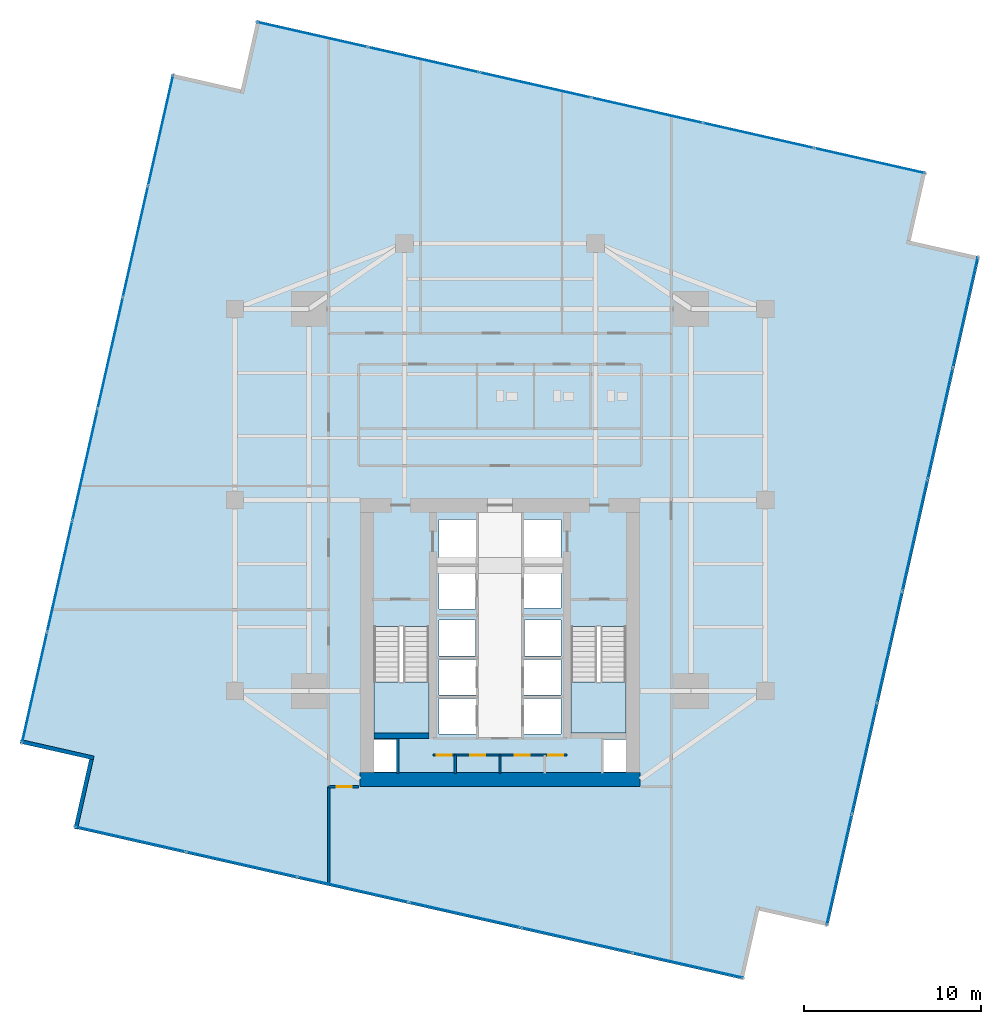
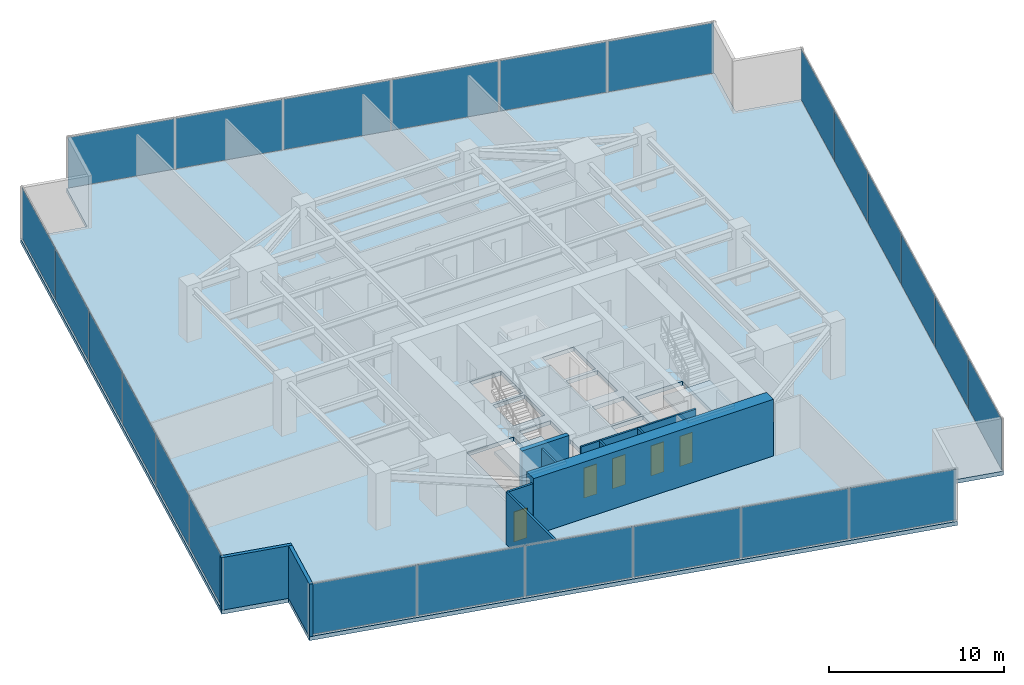
# One storey, part 22 of 26: 24 plates, 10 walls, 5 doors, 3 slabs, 5 openings, 6 elements without a shape of their own.
"""IFC4 building model written with IfcOpenShell, lengths in metres."""

from ifc_helpers import new_model, si_unit, direction, frame, frame_2d, origin, origin_2d, place, context, subcontext, project, spatial, polyline, rectangle, outline, extrude, source, transform, mapped, material, layer, layer_set, type_object, type_shapes, element, fill, aggregate, save


model = new_model("IFC4")

# Units and contexts
model_context = context("Model", 3, precision=1e-05, world=origin(), true_north=direction((0.0, 1.0)))
body_context = subcontext(model_context, "Body", "Model", "MODEL_VIEW")
ifc_project = project(units=[si_unit("LENGTHUNIT", "METRE"), si_unit("AREAUNIT", "SQUARE_METRE"), si_unit("VOLUMEUNIT", "CUBIC_METRE"), si_unit("PLANEANGLEUNIT", "RADIAN"), si_unit("MASSUNIT", "GRAM", prefix="KILO")], contexts=[model_context])

# Site, building, storey
site_placement = place(None, origin())
site = spatial("IfcSite", under=ifc_project, at=site_placement, CompositionType="ELEMENT")
building_placement = place(site_placement, origin())
building = spatial("IfcBuilding", under=site, at=building_placement, Name="Krantzveldt Concourse Tower", CompositionType="ELEMENT")
storey_placement = place(building_placement, frame((0.0, 0.0, 90.050048828125)))
storey = spatial("IfcBuildingStorey", under=building, at=storey_placement, Name="L21", CompositionType="ELEMENT", Elevation=90.050048828125)

# Stair, slab
ifc_material_1 = material(Name="Precast concrete C40/50", Category="concrete")
stair_type = type_object("IfcStairType", Name="STR-CORE-DOGLEG", PredefinedType="HALF_TURN_STAIR", material=ifc_material_1)
stair_1_placement = place(storey_placement, origin())
stair_1 = element("IfcStair", 1, at=stair_1_placement, inside=storey, type_object=stair_type, Name="L21 Protected Escape Stair ST-1", PredefinedType="HALF_TURN_STAIR")
ifc_layer_1 = layer(ifc_material_1, 0.199951171875, Name="Precast concrete C40/50", Category="concrete")
ifc_layer_set_1 = layer_set([ifc_layer_1], Name="Precast concrete C40/50 (SL-LANDING-200)")
slab_type_1 = type_object("IfcSlabType", Name="SL-LANDING-200", PredefinedType="LANDING", material=ifc_layer_set_1)
slab_1_placement = place(storey_placement, frame((0.0, 0.0, 1.77490234375)))
slab_1 = element("IfcSlab", 2, at=slab_1_placement, type_object=slab_type_1, Name="ST-1 landing 1", PredefinedType="LANDING", context=body_context, shape_type="SweptSolid", body=[
    extrude(outline(polyline([(28.8798828125, 16.4150390625), (28.8798828125, 13.52001953125), (31.97998046875, 13.52001953125), (31.97998046875, 16.4150390625), (28.8798828125, 16.4150390625)])), origin(), (0.0, 0.0, 1.0), 0.199951171875),
])
aggregate(stair_1, [slab_1])

stair_2_placement = place(storey_placement, origin())
stair_2 = element("IfcStair", 3, at=stair_2_placement, inside=storey, type_object=stair_type, Name="L21 Protected Escape Stair ST-2", PredefinedType="HALF_TURN_STAIR")
slab_2_placement = place(storey_placement, frame((0.0, 0.0, 1.77490234375)))
slab_2 = element("IfcSlab", 4, at=slab_2_placement, type_object=slab_type_1, Name="ST-2 landing 1", PredefinedType="LANDING", context=body_context, shape_type="SweptSolid", body=[
    extrude(outline(polyline([(40.02001953125, 16.4150390625), (40.02001953125, 13.52001953125), (43.1201171875, 13.52001953125), (43.1201171875, 16.4150390625), (40.02001953125, 16.4150390625)])), origin(), (0.0, 0.0, 1.0), 0.199951171875),
])
aggregate(stair_2, [slab_2])

# Slab
ifc_material_2 = material(Name="Concrete C40/50", Category="concrete")
ifc_layer_2 = layer(ifc_material_2, 0.280029296875, Name="Concrete C40/50", Category="concrete")
ifc_layer_set_2 = layer_set([ifc_layer_2], Name="Concrete C40/50 (SL-SL-TWR280)")
slab_type_2 = type_object("IfcSlabType", Name="SL-SL-TWR280", PredefinedType="FLOOR", material=ifc_layer_set_2)
slab_3_placement = place(storey_placement, frame((0.0, 0.0, -0.280029296875)))
element("IfcSlab", 5, at=slab_3_placement, inside=storey, type_object=slab_type_2, Name="SL-L21-MAIN", PredefinedType="FLOOR", context=body_context, shape_type="SweptSolid", body=[
    extrude(outline(polyline([(21.35986328125, 49.903076171875), (17.45849609375, 50.785888671875), (8.8955078125, 12.942626953125), (12.796875, 12.059814453125), (11.9140625, 8.158447265625), (49.75732421875, -0.404541015625), (50.64013671875, 3.496826171875), (54.54150390625, 2.614013671875), (63.1044921875, 40.457275390625), (59.203125, 41.340087890625), (60.0859375, 45.241455078125), (22.24267578125, 53.804443359375), (21.35986328125, 49.903076171875)]), holes=[polyline([(28.8798828125, 19.547607421875), (28.8798828125, 13.52001953125), (31.97998046875, 13.52001953125), (31.97998046875, 19.547607421875), (28.8798828125, 19.547607421875)]), polyline([(40.02001953125, 19.547607421875), (40.02001953125, 13.52001953125), (43.1201171875, 13.52001953125), (43.1201171875, 19.547607421875), (40.02001953125, 19.547607421875)]), polyline([(32.550048828125, 23.10009765625), (34.64990234375, 23.10009765625), (34.64990234375, 25.60009765625), (32.550048828125, 25.60009765625), (32.550048828125, 23.10009765625)]), polyline([(37.35009765625, 23.10009765625), (39.449951171875, 23.10009765625), (39.449951171875, 25.60009765625), (37.35009765625, 25.60009765625), (37.35009765625, 23.10009765625)]), polyline([(37.35009765625, 20.60009765625), (39.449951171875, 20.60009765625), (39.449951171875, 22.89990234375), (37.35009765625, 22.89990234375), (37.35009765625, 20.60009765625)]), polyline([(32.550048828125, 13.47998046875), (34.64990234375, 13.47998046875), (34.64990234375, 15.47998046875), (32.550048828125, 15.47998046875), (32.550048828125, 13.47998046875)]), polyline([(32.550048828125, 15.679931640625), (34.64990234375, 15.679931640625), (34.64990234375, 17.679931640625), (32.550048828125, 17.679931640625), (32.550048828125, 15.679931640625)]), polyline([(37.35009765625, 13.47998046875), (39.449951171875, 13.47998046875), (39.449951171875, 15.47998046875), (37.35009765625, 15.47998046875), (37.35009765625, 13.47998046875)]), polyline([(37.35009765625, 15.679931640625), (39.449951171875, 15.679931640625), (39.449951171875, 17.679931640625), (37.35009765625, 17.679931640625), (37.35009765625, 15.679931640625)]), polyline([(32.550048828125, 20.550048828125), (34.6201171875, 20.550048828125), (34.6201171875, 22.89990234375), (32.550048828125, 22.89990234375), (32.550048828125, 20.550048828125)]), polyline([(32.550048828125, 17.8798828125), (34.6201171875, 17.8798828125), (34.6201171875, 19.919921875), (32.550048828125, 19.919921875), (32.550048828125, 17.8798828125)]), polyline([(37.3798828125, 17.8798828125), (39.449951171875, 17.8798828125), (39.449951171875, 19.919921875), (37.3798828125, 19.919921875), (37.3798828125, 17.8798828125)]), polyline([(28.8798828125, 11.320068359375), (30.139892578125, 11.320068359375), (30.139892578125, 13.159912109375), (28.8798828125, 13.159912109375), (28.8798828125, 11.320068359375)]), polyline([(41.860107421875, 11.320068359375), (43.1201171875, 11.320068359375), (43.1201171875, 13.159912109375), (41.860107421875, 13.159912109375), (41.860107421875, 11.320068359375)])]), origin(), (0.0, 0.0, 1.0), 0.280029296875),
])

# Curtain wall, plates
ifc_material_3 = material(Name="Anodised aluminium 6063-T6", Category="aluminium")
curtain_wall_type = type_object("IfcCurtainWallType", Name="CW2", PredefinedType="USERDEFINED", material=ifc_material_3)
curtain_wall_1_placement = place(storey_placement, origin())
curtain_wall_1 = element("IfcCurtainWall", 6, at=curtain_wall_1_placement, inside=storey, type_object=curtain_wall_type, Name="CW-L21-F01", ObjectType="UNITISED CURTAIN WALL", PredefinedType="USERDEFINED")
ifc_material_4 = material(Name="Bronze-tinted laminated low-E IGU glass", Category="glass")
ifc_layer_3 = layer(ifc_material_4, 0.031982421875, Name="Bronze-tinted laminated low-E IGU glass", Category="glass")
ifc_layer_set_3 = layer_set([ifc_layer_3], Name="Bronze-tinted laminated low-E IGU glass (CW-GLZ-32)")
plate_type = type_object("IfcPlateType", Name="CW-GLZ-32", PredefinedType="CURTAIN_PANEL", material=ifc_layer_set_3)
shared_shape_1 = source(origin(), body_context, "Body", "SweptSolid", [
    extrude(rectangle(XDim=6.361572265625, YDim=0.031982421875, at=origin_2d()), origin(), (0.0, 0.0, 1.0), 3.530029296875),
])
plate_1_placement = place(storey_placement, frame((16.828857421875, 47.595458984375, 0.06982421875), z_axis=(0.0, 0.0, 1.0), x_axis=(-0.220697434579, -0.975342320609, 0.0)))
plate_1 = element("IfcPlate", 7, at=plate_1_placement, type_object=plate_type, Name="CW-Z12 panel 1.1", PredefinedType="CURTAIN_PANEL", context=body_context, shape_type="MappedRepresentation", body=[
    mapped(shared_shape_1, transform((0.0, 0.0, 0.0), x_axis=(1.0, 0.0, 0.0), y_axis=(0.0, 1.0, 0.0), z_axis=(0.0, 0.0, 1.0), scale=1.0)),
])
plate_2_placement = place(storey_placement, frame((9.70068359375, 16.093505859375, 0.06982421875), z_axis=(0.0, 0.0, 1.0), x_axis=(-0.220697434579, -0.975342320609, 0.0)))
plate_2 = element("IfcPlate", 8, at=plate_2_placement, type_object=plate_type, Name="CW-Z12 panel 6.1", PredefinedType="CURTAIN_PANEL", context=body_context, shape_type="MappedRepresentation", body=[
    mapped(shared_shape_1, transform((0.0, 0.0, 0.0), x_axis=(1.0, 0.0, 0.0), y_axis=(0.0, 1.0, 0.0), z_axis=(0.0, 0.0, 1.0), scale=1.0)),
])

curtain_wall_2_placement = place(storey_placement, origin())
curtain_wall_2 = element("IfcCurtainWall", 9, at=curtain_wall_2_placement, inside=storey, type_object=curtain_wall_type, Name="CW-L21-F04", ObjectType="UNITISED CURTAIN WALL", PredefinedType="USERDEFINED")
plate_3_placement = place(storey_placement, frame((15.1044921875, 7.52880859375, 0.06982421875), z_axis=(0.0, 0.0, 1.0), x_axis=(0.975342320609, -0.220697434579, 0.0)))
plate_3 = element("IfcPlate", 10, at=plate_3_placement, type_object=plate_type, Name="CW-Z12 panel 1.1", PredefinedType="CURTAIN_PANEL", context=body_context, shape_type="MappedRepresentation", body=[
    mapped(shared_shape_1, transform((0.0, 0.0, 0.0), x_axis=(1.0, 0.0, 0.0), y_axis=(0.0, 1.0, 0.0), z_axis=(0.0, 0.0, 1.0), scale=1.0)),
])
plate_4_placement = place(storey_placement, frame((46.6064453125, 0.400634765625, 0.06982421875), z_axis=(0.0, 0.0, 1.0), x_axis=(0.975342320609, -0.220697434579, 0.0)))
plate_4 = element("IfcPlate", 11, at=plate_4_placement, type_object=plate_type, Name="CW-Z12 panel 6.1", PredefinedType="CURTAIN_PANEL", context=body_context, shape_type="MappedRepresentation", body=[
    mapped(shared_shape_1, transform((0.0, 0.0, 0.0), x_axis=(1.0, 0.0, 0.0), y_axis=(0.0, 1.0, 0.0), z_axis=(0.0, 0.0, 1.0), scale=1.0)),
])

curtain_wall_3_placement = place(storey_placement, origin())
curtain_wall_3 = element("IfcCurtainWall", 12, at=curtain_wall_3_placement, inside=storey, type_object=curtain_wall_type, Name="CW-L21-F07", ObjectType="UNITISED CURTAIN WALL", PredefinedType="USERDEFINED")
plate_5_placement = place(storey_placement, frame((55.171142578125, 5.8046875, 0.06982421875), z_axis=(0.0, 0.0, 1.0), x_axis=(0.220697434579, 0.975342320609, 0.0)))
plate_5 = element("IfcPlate", 13, at=plate_5_placement, type_object=plate_type, Name="CW-Z12 panel 1.1", PredefinedType="CURTAIN_PANEL", context=body_context, shape_type="MappedRepresentation", body=[
    mapped(shared_shape_1, transform((0.0, 0.0, 0.0), x_axis=(1.0, 0.0, 0.0), y_axis=(0.0, 1.0, 0.0), z_axis=(0.0, 0.0, 1.0), scale=1.0)),
])
plate_6_placement = place(storey_placement, frame((62.29931640625, 37.306396484375, 0.06982421875), z_axis=(0.0, 0.0, 1.0), x_axis=(0.220697434579, 0.975342320609, 0.0)))
plate_6 = element("IfcPlate", 14, at=plate_6_placement, type_object=plate_type, Name="CW-Z12 panel 6.1", PredefinedType="CURTAIN_PANEL", context=body_context, shape_type="MappedRepresentation", body=[
    mapped(shared_shape_1, transform((0.0, 0.0, 0.0), x_axis=(1.0, 0.0, 0.0), y_axis=(0.0, 1.0, 0.0), z_axis=(0.0, 0.0, 1.0), scale=1.0)),
])

curtain_wall_4_placement = place(storey_placement, origin())
curtain_wall_4 = element("IfcCurtainWall", 15, at=curtain_wall_4_placement, inside=storey, type_object=curtain_wall_type, Name="CW-L21-F10", ObjectType="UNITISED CURTAIN WALL", PredefinedType="USERDEFINED")
plate_7_placement = place(storey_placement, frame((56.8955078125, 45.87109375, 0.06982421875), z_axis=(0.0, 0.0, 1.0), x_axis=(-0.975342320609, 0.220697434579, 0.0)))
plate_7 = element("IfcPlate", 16, at=plate_7_placement, type_object=plate_type, Name="CW-Z12 panel 1.1", PredefinedType="CURTAIN_PANEL", context=body_context, shape_type="MappedRepresentation", body=[
    mapped(shared_shape_1, transform((0.0, 0.0, 0.0), x_axis=(1.0, 0.0, 0.0), y_axis=(0.0, 1.0, 0.0), z_axis=(0.0, 0.0, 1.0), scale=1.0)),
])
plate_8_placement = place(storey_placement, frame((25.3935546875, 52.999267578125, 0.06982421875), z_axis=(0.0, 0.0, 1.0), x_axis=(-0.975342320609, 0.220697434579, 0.0)))
plate_8 = element("IfcPlate", 17, at=plate_8_placement, type_object=plate_type, Name="CW-Z12 panel 6.1", PredefinedType="CURTAIN_PANEL", context=body_context, shape_type="MappedRepresentation", body=[
    mapped(shared_shape_1, transform((0.0, 0.0, 0.0), x_axis=(1.0, 0.0, 0.0), y_axis=(0.0, 1.0, 0.0), z_axis=(0.0, 0.0, 1.0), scale=1.0)),
])

# Plate
shared_shape_2 = source(origin(), body_context, "Body", "SweptSolid", [
    extrude(rectangle(XDim=6.396728515625, YDim=0.031982421875, at=origin_2d()), origin(), (0.0, 0.0, 1.0), 3.530029296875),
])
type_shapes(plate_type, [shared_shape_1, shared_shape_2])
plate_9_placement = place(storey_placement, frame((15.405517578125, 41.30517578125, 0.06982421875), z_axis=(0.0, 0.0, 1.0), x_axis=(-0.220697434579, -0.975342320609, 0.0)))
plate_9 = element("IfcPlate", 18, at=plate_9_placement, type_object=plate_type, Name="CW-Z12 panel 2.1", PredefinedType="CURTAIN_PANEL", context=body_context, shape_type="MappedRepresentation", body=[
    mapped(shared_shape_2, transform((0.0, 0.0, 0.0), x_axis=(1.0, 0.0, 0.0), y_axis=(0.0, 1.0, 0.0), z_axis=(0.0, 0.0, 1.0), scale=1.0)),
])

plate_10_placement = place(storey_placement, frame((13.978271484375, 34.998046875, 0.06982421875), z_axis=(0.0, 0.0, 1.0), x_axis=(-0.220697434579, -0.975342320609, 0.0)))
plate_10 = element("IfcPlate", 19, at=plate_10_placement, type_object=plate_type, Name="CW-Z12 panel 3.1", PredefinedType="CURTAIN_PANEL", context=body_context, shape_type="MappedRepresentation", body=[
    mapped(shared_shape_2, transform((0.0, 0.0, 0.0), x_axis=(1.0, 0.0, 0.0), y_axis=(0.0, 1.0, 0.0), z_axis=(0.0, 0.0, 1.0), scale=1.0)),
])

plate_11_placement = place(storey_placement, frame((12.55126953125, 28.69091796875, 0.06982421875), z_axis=(0.0, 0.0, 1.0), x_axis=(-0.220697434579, -0.975342320609, 0.0)))
plate_11 = element("IfcPlate", 20, at=plate_11_placement, type_object=plate_type, Name="CW-Z12 panel 4.1", PredefinedType="CURTAIN_PANEL", context=body_context, shape_type="MappedRepresentation", body=[
    mapped(shared_shape_2, transform((0.0, 0.0, 0.0), x_axis=(1.0, 0.0, 0.0), y_axis=(0.0, 1.0, 0.0), z_axis=(0.0, 0.0, 1.0), scale=1.0)),
])

plate_12_placement = place(storey_placement, frame((11.1240234375, 22.383544921875, 0.06982421875), z_axis=(0.0, 0.0, 1.0), x_axis=(-0.220697434579, -0.975342320609, 0.0)))
plate_12 = element("IfcPlate", 21, at=plate_12_placement, type_object=plate_type, Name="CW-Z12 panel 5.1", PredefinedType="CURTAIN_PANEL", context=body_context, shape_type="MappedRepresentation", body=[
    mapped(shared_shape_2, transform((0.0, 0.0, 0.0), x_axis=(1.0, 0.0, 0.0), y_axis=(0.0, 1.0, 0.0), z_axis=(0.0, 0.0, 1.0), scale=1.0)),
])

aggregate(curtain_wall_1, [plate_1, plate_9, plate_10, plate_11, plate_12, plate_2])

plate_13_placement = place(storey_placement, frame((21.394775390625, 6.10546875, 0.06982421875), z_axis=(0.0, 0.0, 1.0), x_axis=(0.975342320609, -0.220697434579, 0.0)))
plate_13 = element("IfcPlate", 22, at=plate_13_placement, type_object=plate_type, Name="CW-Z12 panel 2.1", PredefinedType="CURTAIN_PANEL", context=body_context, shape_type="MappedRepresentation", body=[
    mapped(shared_shape_2, transform((0.0, 0.0, 0.0), x_axis=(1.0, 0.0, 0.0), y_axis=(0.0, 1.0, 0.0), z_axis=(0.0, 0.0, 1.0), scale=1.0)),
])

plate_14_placement = place(storey_placement, frame((27.701904296875, 4.678466796875, 0.06982421875), z_axis=(0.0, 0.0, 1.0), x_axis=(0.975342320609, -0.220697434579, 0.0)))
plate_14 = element("IfcPlate", 23, at=plate_14_placement, type_object=plate_type, Name="CW-Z12 panel 3.1", PredefinedType="CURTAIN_PANEL", context=body_context, shape_type="MappedRepresentation", body=[
    mapped(shared_shape_2, transform((0.0, 0.0, 0.0), x_axis=(1.0, 0.0, 0.0), y_axis=(0.0, 1.0, 0.0), z_axis=(0.0, 0.0, 1.0), scale=1.0)),
])

plate_15_placement = place(storey_placement, frame((34.009033203125, 3.251220703125, 0.06982421875), z_axis=(0.0, 0.0, 1.0), x_axis=(0.975342320609, -0.220697434579, 0.0)))
plate_15 = element("IfcPlate", 24, at=plate_15_placement, type_object=plate_type, Name="CW-Z12 panel 4.1", PredefinedType="CURTAIN_PANEL", context=body_context, shape_type="MappedRepresentation", body=[
    mapped(shared_shape_2, transform((0.0, 0.0, 0.0), x_axis=(1.0, 0.0, 0.0), y_axis=(0.0, 1.0, 0.0), z_axis=(0.0, 0.0, 1.0), scale=1.0)),
])

plate_16_placement = place(storey_placement, frame((40.31640625, 1.823974609375, 0.06982421875), z_axis=(0.0, 0.0, 1.0), x_axis=(0.975342320609, -0.220697434579, 0.0)))
plate_16 = element("IfcPlate", 25, at=plate_16_placement, type_object=plate_type, Name="CW-Z12 panel 5.1", PredefinedType="CURTAIN_PANEL", context=body_context, shape_type="MappedRepresentation", body=[
    mapped(shared_shape_2, transform((0.0, 0.0, 0.0), x_axis=(1.0, 0.0, 0.0), y_axis=(0.0, 1.0, 0.0), z_axis=(0.0, 0.0, 1.0), scale=1.0)),
])

aggregate(curtain_wall_2, [plate_3, plate_13, plate_14, plate_15, plate_16, plate_4])

plate_17_placement = place(storey_placement, frame((56.594482421875, 12.0947265625, 0.06982421875), z_axis=(0.0, 0.0, 1.0), x_axis=(0.220697434579, 0.975342320609, 0.0)))
plate_17 = element("IfcPlate", 26, at=plate_17_placement, type_object=plate_type, Name="CW-Z12 panel 2.1", PredefinedType="CURTAIN_PANEL", context=body_context, shape_type="MappedRepresentation", body=[
    mapped(shared_shape_2, transform((0.0, 0.0, 0.0), x_axis=(1.0, 0.0, 0.0), y_axis=(0.0, 1.0, 0.0), z_axis=(0.0, 0.0, 1.0), scale=1.0)),
])

plate_18_placement = place(storey_placement, frame((58.021728515625, 18.40185546875, 0.06982421875), z_axis=(0.0, 0.0, 1.0), x_axis=(0.220697434579, 0.975342320609, 0.0)))
plate_18 = element("IfcPlate", 27, at=plate_18_placement, type_object=plate_type, Name="CW-Z12 panel 3.1", PredefinedType="CURTAIN_PANEL", context=body_context, shape_type="MappedRepresentation", body=[
    mapped(shared_shape_2, transform((0.0, 0.0, 0.0), x_axis=(1.0, 0.0, 0.0), y_axis=(0.0, 1.0, 0.0), z_axis=(0.0, 0.0, 1.0), scale=1.0)),
])

plate_19_placement = place(storey_placement, frame((59.44873046875, 24.709228515625, 0.06982421875), z_axis=(0.0, 0.0, 1.0), x_axis=(0.220697434579, 0.975342320609, 0.0)))
plate_19 = element("IfcPlate", 28, at=plate_19_placement, type_object=plate_type, Name="CW-Z12 panel 4.1", PredefinedType="CURTAIN_PANEL", context=body_context, shape_type="MappedRepresentation", body=[
    mapped(shared_shape_2, transform((0.0, 0.0, 0.0), x_axis=(1.0, 0.0, 0.0), y_axis=(0.0, 1.0, 0.0), z_axis=(0.0, 0.0, 1.0), scale=1.0)),
])

plate_20_placement = place(storey_placement, frame((60.8759765625, 31.016357421875, 0.06982421875), z_axis=(0.0, 0.0, 1.0), x_axis=(0.220697434579, 0.975342320609, 0.0)))
plate_20 = element("IfcPlate", 29, at=plate_20_placement, type_object=plate_type, Name="CW-Z12 panel 5.1", PredefinedType="CURTAIN_PANEL", context=body_context, shape_type="MappedRepresentation", body=[
    mapped(shared_shape_2, transform((0.0, 0.0, 0.0), x_axis=(1.0, 0.0, 0.0), y_axis=(0.0, 1.0, 0.0), z_axis=(0.0, 0.0, 1.0), scale=1.0)),
])

aggregate(curtain_wall_3, [plate_5, plate_17, plate_18, plate_19, plate_20, plate_6])

plate_21_placement = place(storey_placement, frame((50.605224609375, 47.29443359375, 0.06982421875), z_axis=(0.0, 0.0, 1.0), x_axis=(-0.975342320609, 0.220697434579, 0.0)))
plate_21 = element("IfcPlate", 30, at=plate_21_placement, type_object=plate_type, Name="CW-Z12 panel 2.1", PredefinedType="CURTAIN_PANEL", context=body_context, shape_type="MappedRepresentation", body=[
    mapped(shared_shape_2, transform((0.0, 0.0, 0.0), x_axis=(1.0, 0.0, 0.0), y_axis=(0.0, 1.0, 0.0), z_axis=(0.0, 0.0, 1.0), scale=1.0)),
])

plate_22_placement = place(storey_placement, frame((44.298095703125, 48.7216796875, 0.06982421875), z_axis=(0.0, 0.0, 1.0), x_axis=(-0.975342320609, 0.220697434579, 0.0)))
plate_22 = element("IfcPlate", 31, at=plate_22_placement, type_object=plate_type, Name="CW-Z12 panel 3.1", PredefinedType="CURTAIN_PANEL", context=body_context, shape_type="MappedRepresentation", body=[
    mapped(shared_shape_2, transform((0.0, 0.0, 0.0), x_axis=(1.0, 0.0, 0.0), y_axis=(0.0, 1.0, 0.0), z_axis=(0.0, 0.0, 1.0), scale=1.0)),
])

plate_23_placement = place(storey_placement, frame((37.990966796875, 50.14892578125, 0.06982421875), z_axis=(0.0, 0.0, 1.0), x_axis=(-0.975342320609, 0.220697434579, 0.0)))
plate_23 = element("IfcPlate", 32, at=plate_23_placement, type_object=plate_type, Name="CW-Z12 panel 4.1", PredefinedType="CURTAIN_PANEL", context=body_context, shape_type="MappedRepresentation", body=[
    mapped(shared_shape_2, transform((0.0, 0.0, 0.0), x_axis=(1.0, 0.0, 0.0), y_axis=(0.0, 1.0, 0.0), z_axis=(0.0, 0.0, 1.0), scale=1.0)),
])

plate_24_placement = place(storey_placement, frame((31.68359375, 51.575927734375, 0.06982421875), z_axis=(0.0, 0.0, 1.0), x_axis=(-0.975342320609, 0.220697434579, 0.0)))
plate_24 = element("IfcPlate", 33, at=plate_24_placement, type_object=plate_type, Name="CW-Z12 panel 5.1", PredefinedType="CURTAIN_PANEL", context=body_context, shape_type="MappedRepresentation", body=[
    mapped(shared_shape_2, transform((0.0, 0.0, 0.0), x_axis=(1.0, 0.0, 0.0), y_axis=(0.0, 1.0, 0.0), z_axis=(0.0, 0.0, 1.0), scale=1.0)),
])

aggregate(curtain_wall_4, [plate_7, plate_21, plate_22, plate_23, plate_24, plate_8])

# Walls
ifc_layer_4 = layer(ifc_material_3, 0.219970703125, Name="Anodised aluminium 6063-T6", Category="aluminium")
ifc_layer_set_4 = layer_set([ifc_layer_4], Name="Anodised aluminium 6063-T6 (WL-EXT-NOTCH220)")
wall_type_1 = type_object("IfcWallType", Name="WL-EXT-NOTCH220", PredefinedType="ELEMENTEDWALL", material=ifc_layer_set_4)
wall_1_placement = place(storey_placement, frame((8.895263671875, 13.055419921875, 0.0), z_axis=(0.0, 0.0, 1.0), x_axis=(0.975347642517, -0.220673913812, 0.0)))
element("IfcWall", 34, at=wall_1_placement, inside=storey, type_object=wall_type_1, Name="EW-L21-NCH02", PredefinedType="ELEMENTEDWALL", context=body_context, shape_type="SweptSolid", body=[
    extrude(rectangle(XDim=4.2451171875, YDim=0.219970703125, at=frame_2d((2.12255859375, 0.0))), origin(), (0.0, 0.0, 1.0), 3.669921875),
])
wall_2_placement = place(storey_placement, frame((12.904052734375, 12.03564453125, 0.0), z_axis=(0.0, 0.0, 1.0), x_axis=(-0.2206667074, -0.975349272951, 0.0)))
element("IfcWall", 35, at=wall_2_placement, inside=storey, type_object=wall_type_1, Name="EW-L21-NCH03", PredefinedType="ELEMENTEDWALL", context=body_context, shape_type="SweptSolid", body=[
    extrude(rectangle(XDim=4.02490234375, YDim=0.219970703125, at=frame_2d((2.012451171875, 0.0))), origin(), (0.0, 0.0, 1.0), 3.669921875),
])

# Wall, openings, doors
ifc_material_5 = material(Name="Fire-rated gypsum plasterboard on steel stud", Category="steel")
ifc_layer_5 = layer(ifc_material_5, 0.1201171875, Name="Fire-rated gypsum plasterboard on steel stud", Category="steel")
ifc_layer_set_5 = layer_set([ifc_layer_5], Name="Fire-rated gypsum plasterboard on steel stud (WL-PART-120)")
wall_type_2 = type_object("IfcWallType", Name="WL-PART-120", PredefinedType="PARTITIONING", material=ifc_layer_set_5)
wall_3_placement = place(storey_placement, frame((32.2099609375, 12.280029296875, 0.0), z_axis=(0.0, 0.0, 1.0), x_axis=(1.0, 0.0, 0.0)))
wall_3 = element("IfcWall", 36, at=wall_3_placement, inside=storey, type_object=wall_type_2, Name="WP-L21-CSD-HM", PredefinedType="PARTITIONING", context=body_context, shape_type="SweptSolid", body=[
    extrude(rectangle(XDim=7.580078125, YDim=0.1201171875, at=frame_2d((3.7900390625, 0.0))), origin(), (0.0, 0.0, 1.0), 3.669921875),
])
opening_1_placement = place(wall_3_placement, frame((0.205078125, 0.0, 0.0)))
opening_1 = element("IfcOpeningElement", 37, at=opening_1_placement, cuts=wall_3, Name="Opening D-IN085", PredefinedType="OPENING", context=body_context, shape_type="SweptSolid", body=[
    extrude(rectangle(XDim=0.85009765625, YDim=2.10009765625, at=frame_2d((0.425048828125, 1.050048828125))), frame((0.0, 0.070068359375, 0.0), z_axis=(0.0, -1.0, 0.0), x_axis=(1.0, 0.0, 0.0)), (0.0, 0.0, 1.0), 0.14013671875),
])
opening_2_placement = place(wall_3_placement, frame((2.094970703125, 0.0, 0.0)))
opening_2 = element("IfcOpeningElement", 38, at=opening_2_placement, cuts=wall_3, Name="Opening D-IN085", PredefinedType="OPENING", context=body_context, shape_type="SweptSolid", body=[
    extrude(rectangle(XDim=0.85009765625, YDim=2.10009765625, at=frame_2d((0.425048828125, 1.050048828125))), frame((0.0, 0.070068359375, 0.0), z_axis=(0.0, -1.0, 0.0), x_axis=(1.0, 0.0, 0.0)), (0.0, 0.0, 1.0), 0.14013671875),
])
opening_3_placement = place(wall_3_placement, frame((4.635009765625, 0.0, 0.0)))
opening_3 = element("IfcOpeningElement", 39, at=opening_3_placement, cuts=wall_3, Name="Opening D-IN085", PredefinedType="OPENING", context=body_context, shape_type="SweptSolid", body=[
    extrude(rectangle(XDim=0.85009765625, YDim=2.10009765625, at=frame_2d((0.425048828125, 1.050048828125))), frame((0.0, 0.070068359375, 0.0), z_axis=(0.0, -1.0, 0.0), x_axis=(1.0, 0.0, 0.0)), (0.0, 0.0, 1.0), 0.14013671875),
])
opening_4_placement = place(wall_3_placement, frame((6.52490234375, 0.0, 0.0)))
opening_4 = element("IfcOpeningElement", 40, at=opening_4_placement, cuts=wall_3, Name="Opening D-IN085", PredefinedType="OPENING", context=body_context, shape_type="SweptSolid", body=[
    extrude(rectangle(XDim=0.85009765625, YDim=2.10009765625, at=frame_2d((0.425048828125, 1.050048828125))), frame((0.0, 0.070068359375, 0.0), z_axis=(0.0, -1.0, 0.0), x_axis=(1.0, 0.0, 0.0)), (0.0, 0.0, 1.0), 0.14013671875),
])
ifc_material_6 = material(Name="Hardwood timber", Category="wood")
door_type = type_object("IfcDoorType", Name="DR-INT-850", OperationType="SINGLE_SWING_LEFT", PredefinedType="DOOR", material=ifc_material_6)
door_1_placement = place(opening_1_placement, origin())
door_1 = element("IfcDoor", 41, at=door_1_placement, inside=storey, type_object=door_type, Name="DR-L21-CSD1", OperationType="SINGLE_SWING_RIGHT", OverallHeight=2.10009765625, OverallWidth=0.85009765625, PredefinedType="DOOR", context=body_context, shape_type="SweptSolid", body=[
    extrude(rectangle(XDim=0.85009765625, YDim=2.10009765625, at=frame_2d((0.425048828125, 1.050048828125))), frame((0.0, 0.02490234375, 0.0), z_axis=(0.0, -1.0, 0.0), x_axis=(1.0, 0.0, 0.0)), (0.0, 0.0, 1.0), 0.050048828125),
])
fill(opening_1, door_1)
door_2_placement = place(opening_2_placement, origin())
door_2 = element("IfcDoor", 42, at=door_2_placement, inside=storey, type_object=door_type, Name="DR-L21-CSD2", OperationType="SINGLE_SWING_RIGHT", OverallHeight=2.10009765625, OverallWidth=0.85009765625, PredefinedType="DOOR", context=body_context, shape_type="SweptSolid", body=[
    extrude(rectangle(XDim=0.85009765625, YDim=2.10009765625, at=frame_2d((0.425048828125, 1.050048828125))), frame((0.0, 0.02490234375, 0.0), z_axis=(0.0, -1.0, 0.0), x_axis=(1.0, 0.0, 0.0)), (0.0, 0.0, 1.0), 0.050048828125),
])
fill(opening_2, door_2)
door_3_placement = place(opening_3_placement, origin())
door_3 = element("IfcDoor", 43, at=door_3_placement, inside=storey, type_object=door_type, Name="DR-L21-CSD3", OperationType="SINGLE_SWING_RIGHT", OverallHeight=2.10009765625, OverallWidth=0.85009765625, PredefinedType="DOOR", context=body_context, shape_type="SweptSolid", body=[
    extrude(rectangle(XDim=0.85009765625, YDim=2.10009765625, at=frame_2d((0.425048828125, 1.050048828125))), frame((0.0, 0.02490234375, 0.0), z_axis=(0.0, -1.0, 0.0), x_axis=(1.0, 0.0, 0.0)), (0.0, 0.0, 1.0), 0.050048828125),
])
fill(opening_3, door_3)
door_4_placement = place(opening_4_placement, origin())
door_4 = element("IfcDoor", 44, at=door_4_placement, inside=storey, type_object=door_type, Name="DR-L21-CSD4", OperationType="SINGLE_SWING_RIGHT", OverallHeight=2.10009765625, OverallWidth=0.85009765625, PredefinedType="DOOR", context=body_context, shape_type="SweptSolid", body=[
    extrude(rectangle(XDim=0.85009765625, YDim=2.10009765625, at=frame_2d((0.425048828125, 1.050048828125))), frame((0.0, 0.02490234375, 0.0), z_axis=(0.0, -1.0, 0.0), x_axis=(1.0, 0.0, 0.0)), (0.0, 0.0, 1.0), 0.050048828125),
])
fill(opening_4, door_4)

# Walls
for number, where, z_axis, x_axis, name in (
    (45, (33.469970703125, 11.25, 0.0), (0.0, 0.0, 1.0), (0.0, 1.0, 0.0), "WP-L21-CSD-V1"),
    (46, (36.0, 11.25, 0.0), (0.0, 0.0, 1.0), (0.0, 1.0, 0.0), "WP-L21-CSD-V2"),
):
    element("IfcWall", number, at=place(storey_placement, frame(where, z_axis=z_axis, x_axis=x_axis)), inside=storey, type_object=wall_type_2, Name=name, PredefinedType="PARTITIONING", context=body_context, shape_type="SweptSolid", body=[
        extrude(rectangle(XDim=1.030029296875, YDim=0.1201171875, at=frame_2d((0.51513671875, 0.0))), origin(), (0.0, 0.0, 1.0), 3.669921875),
    ])

# Wall, opening, door
ifc_layer_6 = layer(ifc_material_5, 0.139892578125, Name="Fire-rated gypsum plasterboard on steel stud", Category="steel")
ifc_layer_set_6 = layer_set([ifc_layer_6], Name="Fire-rated gypsum plasterboard on steel stud (WL-PART-140)")
wall_type_3 = type_object("IfcWallType", Name="WL-PART-140", PredefinedType="PARTITIONING", material=ifc_layer_set_6)
wall_4_placement = place(storey_placement, frame((26.320068359375, 10.5, 0.0), z_axis=(0.0, 0.0, 1.0), x_axis=(1.0, 0.0, 0.0)))
wall_4 = element("IfcWall", 47, at=wall_4_placement, inside=storey, type_object=wall_type_3, Name="WP-L21-CWBOT", PredefinedType="PARTITIONING", context=body_context, shape_type="SweptSolid", body=[
    extrude(rectangle(XDim=1.679931640625, YDim=0.139892578125, at=frame_2d((0.83984375, 0.0))), origin(), (0.0, 0.0, 1.0), 3.669921875),
])
opening_5_placement = place(wall_4_placement, frame((0.445068359375, 0.0, 0.0)))
opening_5 = element("IfcOpeningElement", 48, at=opening_5_placement, cuts=wall_4, Name="Opening D-IN085", PredefinedType="OPENING", context=body_context, shape_type="SweptSolid", body=[
    extrude(rectangle(XDim=0.85009765625, YDim=2.10009765625, at=frame_2d((0.425048828125, 1.050048828125))), frame((0.0, 0.080078125, 0.0), z_axis=(0.0, -1.0, 0.0), x_axis=(1.0, 0.0, 0.0)), (0.0, 0.0, 1.0), 0.159912109375),
])
door_5_placement = place(opening_5_placement, origin())
door_5 = element("IfcDoor", 49, at=door_5_placement, inside=storey, type_object=door_type, Name="DR-L21-SR1", OperationType="SINGLE_SWING_LEFT", OverallHeight=2.10009765625, OverallWidth=0.85009765625, PredefinedType="DOOR", context=body_context, shape_type="SweptSolid", body=[
    extrude(rectangle(XDim=0.85009765625, YDim=2.10009765625, at=frame_2d((0.425048828125, 1.050048828125))), frame((0.0, 0.02490234375, 0.0), z_axis=(0.0, -1.0, 0.0), x_axis=(1.0, 0.0, 0.0)), (0.0, 0.0, 1.0), 0.050048828125),
])
fill(opening_5, door_5)

# Walls
wall_5_placement = place(storey_placement, frame((26.320068359375, 4.9912109375, 0.0), z_axis=(0.0, 0.0, 1.0), x_axis=(0.0, 1.0, 0.0)))
element("IfcWall", 50, at=wall_5_placement, inside=storey, type_object=wall_type_3, Name="WP-L21-SWL", PredefinedType="PARTITIONING", context=body_context, shape_type="SweptSolid", body=[
    extrude(rectangle(XDim=5.5087890625, YDim=0.139892578125, at=frame_2d((2.75439453125, 0.0))), origin(), (0.0, 0.0, 1.0), 3.669921875),
])
ifc_layer_7 = layer(ifc_material_5, 0.139892578125, Name="Fire-rated gypsum plasterboard on steel stud", Category="steel")
ifc_layer_set_7 = layer_set([ifc_layer_7], Name="Fire-rated gypsum plasterboard on steel stud (WL-PART-FR140)")
wall_type_4 = type_object("IfcWallType", Name="WL-PART-FR140", PredefinedType="PARTITIONING", material=ifc_layer_set_7)
wall_6_placement = place(storey_placement, frame((30.219970703125, 11.25, 0.0), z_axis=(0.0, 0.0, 1.0), x_axis=(0.0, 1.0, 0.0)))
element("IfcWall", 51, at=wall_6_placement, inside=storey, type_object=wall_type_4, Name="WP-L21-RSW", PredefinedType="PARTITIONING", context=body_context, shape_type="SweptSolid", body=[
    extrude(rectangle(XDim=1.969970703125, YDim=0.1201171875, at=frame_2d((0.98486328125, 0.0))), origin(), (0.0, 0.0, 1.0), 3.669921875),
])
ifc_material_7 = material(Name="Concrete C50/60", Category="concrete")
ifc_layer_8 = layer(ifc_material_7, 0.300048828125, Name="Concrete C50/60", Category="concrete")
ifc_layer_set_8 = layer_set([ifc_layer_8], Name="Concrete C50/60 (WL-SHEAR-300)")
wall_type_5 = type_object("IfcWallType", Name="WL-SHEAR-300", PredefinedType="SHEAR", material=ifc_layer_set_8)
wall_7_placement = place(storey_placement, frame((28.8798828125, 13.3701171875, 0.0), z_axis=(0.0, 0.0, 1.0), x_axis=(1.0, 0.0, 0.0)))
element("IfcWall", 52, at=wall_7_placement, inside=storey, type_object=wall_type_5, Name="CW-L21-ST1S", PredefinedType="SHEAR", context=body_context, shape_type="SweptSolid", body=[
    extrude(rectangle(XDim=3.10009765625, YDim=0.300048828125, at=frame_2d((1.550048828125, 0.0))), origin(), (0.0, 0.0, 1.0), 3.949951171875),
])
ifc_material_8 = material(Name="Concrete C60/75", Category="concrete")
ifc_layer_9 = layer(ifc_material_8, 0.800048828125, Name="Concrete C60/75", Category="concrete")
ifc_layer_set_9 = layer_set([ifc_layer_9], Name="Concrete C60/75 (WL-SHEAR-800)")
wall_type_6 = type_object("IfcWallType", Name="WL-SHEAR-800", PredefinedType="SHEAR", material=ifc_layer_set_9)
wall_8_placement = place(storey_placement, frame((28.080078125, 10.89990234375, 0.0), z_axis=(0.0, 0.0, 1.0), x_axis=(1.0, 0.0, 0.0)))
element("IfcWall", 53, at=wall_8_placement, inside=storey, type_object=wall_type_6, Name="CW-L21-S", PredefinedType="SHEAR", context=body_context, shape_type="SweptSolid", body=[
    extrude(rectangle(XDim=15.83984375, YDim=0.800048828125, at=frame_2d((7.919921875, 0.0))), origin(), (0.0, 0.0, 1.0), 3.949951171875),
])

save(model, "model.ifc")
